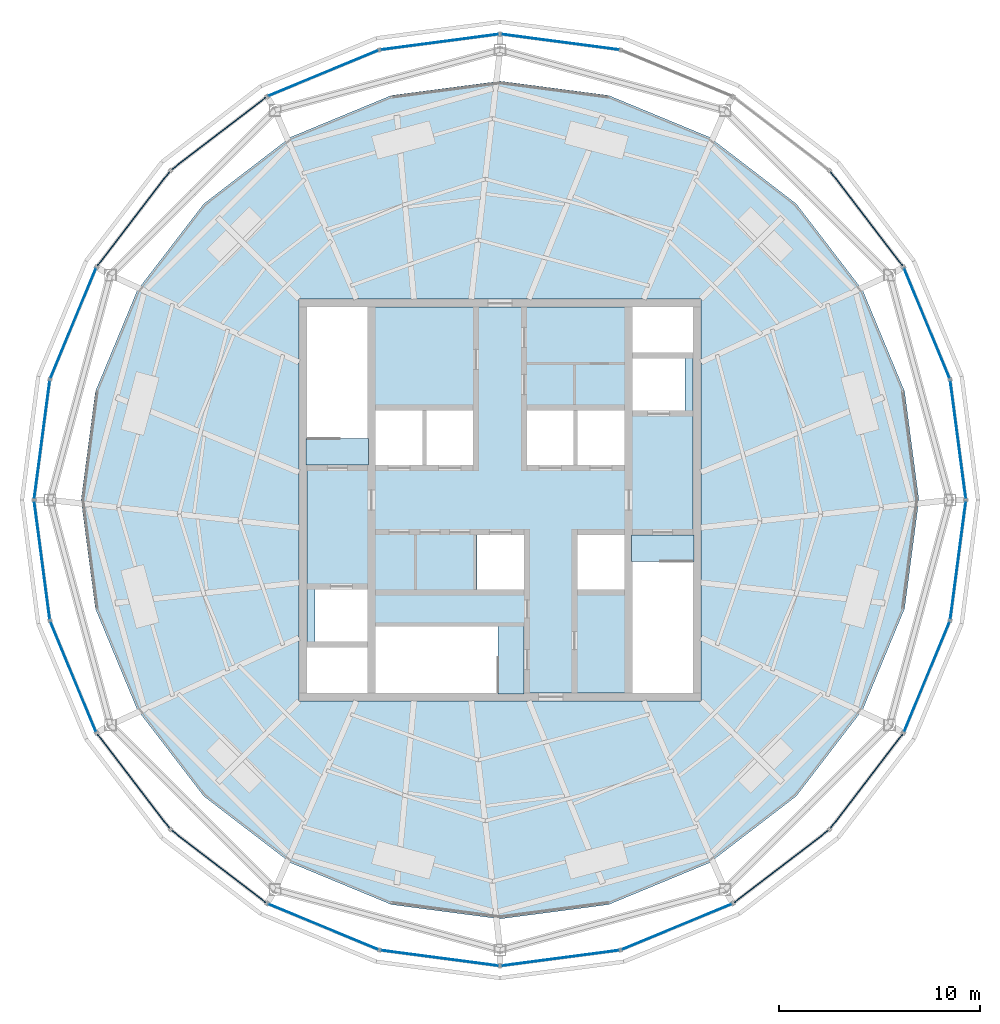
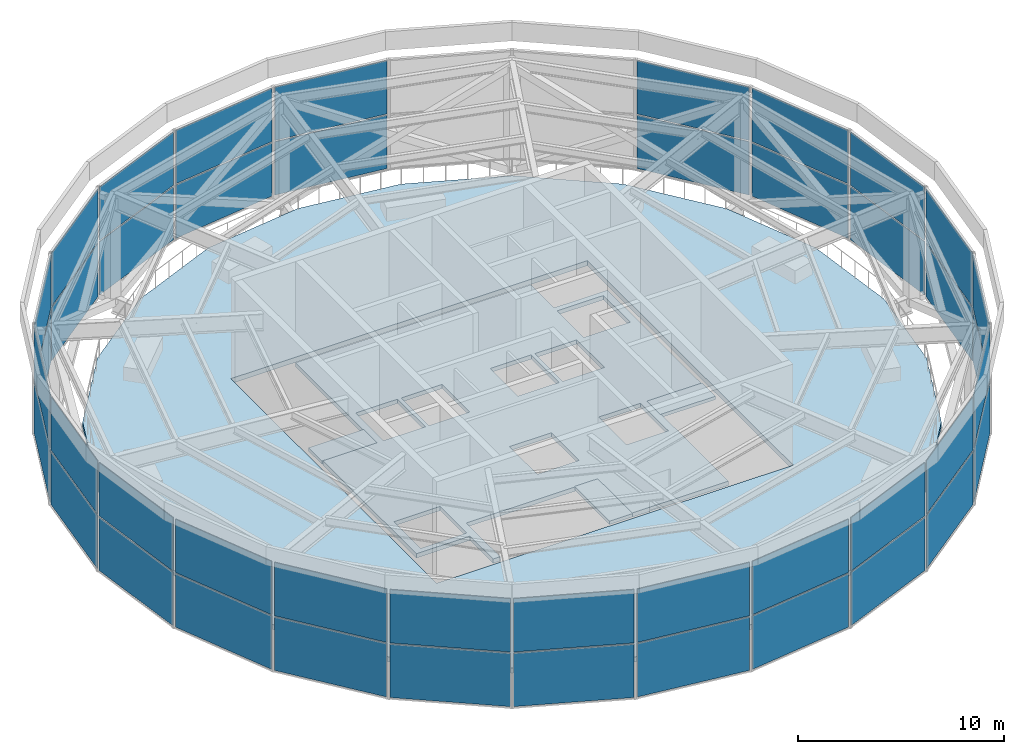
# One storey, part 8 of 13: 44 plates, 5 slabs, 22 elements without a shape of their own.
"""IFC4 building model written with IfcOpenShell, lengths in metres."""

from ifc_helpers import new_model, si_unit, direction, frame, origin, origin_2d, place, context, subcontext, project, spatial, polyline, rectangle, outline, extrude, material, layer, layer_set, type_object, element, aggregate, save


model = new_model("IFC4")

# Units and contexts
model_context = context("Model", 3, precision=1e-05, world=origin(), true_north=direction((0.0, 1.0)))
body_context = subcontext(model_context, "Body", "Model", "MODEL_VIEW")
ifc_project = project(units=[si_unit("LENGTHUNIT", "METRE"), si_unit("AREAUNIT", "SQUARE_METRE"), si_unit("VOLUMEUNIT", "CUBIC_METRE"), si_unit("PLANEANGLEUNIT", "RADIAN"), si_unit("MASSUNIT", "GRAM", prefix="KILO")], contexts=[model_context])

# Site, building, storey
site_placement = place(None, origin())
site = spatial("IfcSite", under=ifc_project, at=site_placement, CompositionType="ELEMENT")
building_placement = place(site_placement, origin())
building = spatial("IfcBuilding", under=site, at=building_placement, Name="Golbaran Civic Tower", CompositionType="ELEMENT")
storey_placement = place(building_placement, frame((0.0, 0.0, 284.0)))
storey = spatial("IfcBuildingStorey", under=building, at=storey_placement, Name="L69", CompositionType="ELEMENT", Elevation=284.0)

# Slab
ifc_material_1 = material(Name="Concrete C35/45", Category="concrete")
ifc_layer_1 = layer(ifc_material_1, 0.25, Name="Concrete C35/45")
ifc_layer_set_1 = layer_set([ifc_layer_1], Name="Concrete C35/45")
slab_type_1 = type_object("IfcSlabType", Name="CORE FLOOR SLAB 250", PredefinedType="FLOOR", material=ifc_layer_set_1)
slab_1_placement = place(storey_placement, frame((0.0, 0.0, -0.25)))
element("IfcSlab", 1, at=slab_1_placement, inside=storey, type_object=slab_type_1, Name="Core floor slab L69", PredefinedType="FLOOR", context=body_context, shape_type="SweptSolid", body=[
    extrude(outline(polyline([(6.60009765625, -1.75), (6.60009765625, -9.60009765625), (1.199951171875, -9.60009765625), (1.199951171875, -6.300048828125), (-6.199951171875, -6.300048828125), (-6.199951171875, -9.60009765625), (-6.60009765625, -9.60009765625), (-6.60009765625, -7.35009765625), (-9.60009765625, -7.35009765625), (-9.60009765625, 1.75), (-6.60009765625, 1.75), (-6.60009765625, 9.60009765625), (6.60009765625, 9.60009765625), (6.60009765625, 7.35009765625), (9.60009765625, 7.35009765625), (9.60009765625, -1.75), (6.60009765625, -1.75)]), holes=[polyline([(9.199951171875, 7.050048828125), (6.60009765625, 7.050048828125), (6.60009765625, 4.449951171875), (9.199951171875, 4.449951171875), (9.199951171875, 7.050048828125)]), polyline([(6.199951171875, -1.75), (3.85009765625, -1.75), (3.85009765625, -4.449951171875), (6.199951171875, -4.449951171875), (6.199951171875, -1.75)]), polyline([(6.199951171875, 4.449951171875), (3.85009765625, 4.449951171875), (3.85009765625, 1.75), (6.199951171875, 1.75), (6.199951171875, 4.449951171875)]), polyline([(3.64990234375, 4.449951171875), (1.35009765625, 4.449951171875), (1.35009765625, 1.75), (3.64990234375, 1.75), (3.64990234375, 4.449951171875)]), polyline([(-1.14990234375, -1.75), (-1.14990234375, -4.449951171875), (1.199951171875, -4.449951171875), (1.199951171875, -1.75), (-1.14990234375, -1.75)]), polyline([(-1.35009765625, 4.449951171875), (-3.64990234375, 4.449951171875), (-3.64990234375, 1.75), (-1.35009765625, 1.75), (-1.35009765625, 4.449951171875)]), polyline([(-3.85009765625, 4.449951171875), (-6.199951171875, 4.449951171875), (-6.199951171875, 1.75), (-3.85009765625, 1.75), (-3.85009765625, 4.449951171875)]), polyline([(-6.60009765625, -4.449951171875), (-9.199951171875, -4.449951171875), (-9.199951171875, -7.050048828125), (-6.60009765625, -7.050048828125), (-6.60009765625, -4.449951171875)])]), origin(), (0.0, 0.0, 1.0), 0.25),
])

# Curtain wall, plates
ifc_material_2 = material(Name="Aluminium and glass", Category="aluminium")
curtain_wall_type = type_object("IfcCurtainWallType", Name="OUTER SKIN TERRACOTTA SCREEN", PredefinedType="NOTDEFINED", material=ifc_material_2)
curtain_wall_1_placement = place(storey_placement, origin())
curtain_wall_1 = element("IfcCurtainWall", 2, at=curtain_wall_1_placement, inside=storey, type_object=curtain_wall_type, Name="Crown screen L69 facet 1 CW3", ObjectType="OUTER SKIN", PredefinedType="USERDEFINED")
ifc_material_3 = material(Name="Terracotta baguette screen", Category="masonry")
ifc_layer_2 = layer(ifc_material_3, 0.0400390625, Name="Terracotta baguette screen")
ifc_layer_set_2 = layer_set([ifc_layer_2], Name="Terracotta baguette screen")
plate_type = type_object("IfcPlateType", Name="OUTER SKIN TERRACOTTA SCREEN PANEL", PredefinedType="CURTAIN_PANEL", material=ifc_layer_set_2)
plate_1_placement = place(storey_placement, frame((22.8046875, 3.002197265625, -0.6298828125), z_axis=(0.0, 0.0, 1.0), x_axis=(-0.13052619222, 0.991444861374, 0.0)))
plate_1 = element("IfcPlate", 3, at=plate_1_placement, type_object=plate_type, Name="CW3 terracotta screen panel 1.1", PredefinedType="CURTAIN_PANEL", context=body_context, shape_type="SweptSolid", body=[
    extrude(rectangle(XDim=5.896484375, YDim=0.0400390625, at=origin_2d()), origin(), (0.0, 0.0, 1.0), 3.159912109375),
])
plate_2_placement = place(storey_placement, frame((22.8046875, 3.002197265625, 2.60986328125), z_axis=(0.0, 0.0, 1.0), x_axis=(-0.13052619222, 0.991444861374, 0.0)))
plate_2 = element("IfcPlate", 4, at=plate_2_placement, type_object=plate_type, Name="CW3 terracotta screen panel 1.2", PredefinedType="CURTAIN_PANEL", context=body_context, shape_type="SweptSolid", body=[
    extrude(rectangle(XDim=5.896484375, YDim=0.0400390625, at=origin_2d()), origin(), (0.0, 0.0, 1.0), 3.159912109375),
])
aggregate(curtain_wall_1, [plate_1, plate_2])

curtain_wall_2_placement = place(storey_placement, origin())
curtain_wall_2 = element("IfcCurtainWall", 5, at=curtain_wall_2_placement, inside=storey, type_object=curtain_wall_type, Name="Crown screen L69 facet 2 CW3", ObjectType="OUTER SKIN", PredefinedType="USERDEFINED")
plate_3_placement = place(storey_placement, frame((21.250732421875, 8.80224609375, -0.6298828125), z_axis=(0.0, 0.0, 1.0), x_axis=(-0.382683432333, 0.923879532525, 0.0)))
plate_3 = element("IfcPlate", 6, at=plate_3_placement, type_object=plate_type, Name="CW3 terracotta screen panel 1.1", PredefinedType="CURTAIN_PANEL", context=body_context, shape_type="SweptSolid", body=[
    extrude(rectangle(XDim=5.896484375, YDim=0.0400390625, at=origin_2d()), origin(), (0.0, 0.0, 1.0), 3.159912109375),
])
plate_4_placement = place(storey_placement, frame((21.250732421875, 8.80224609375, 2.60986328125), z_axis=(0.0, 0.0, 1.0), x_axis=(-0.382683432333, 0.923879532525, 0.0)))
plate_4 = element("IfcPlate", 7, at=plate_4_placement, type_object=plate_type, Name="CW3 terracotta screen panel 1.2", PredefinedType="CURTAIN_PANEL", context=body_context, shape_type="SweptSolid", body=[
    extrude(rectangle(XDim=5.896484375, YDim=0.0400390625, at=origin_2d()), origin(), (0.0, 0.0, 1.0), 3.159912109375),
])
aggregate(curtain_wall_2, [plate_3, plate_4])

curtain_wall_3_placement = place(storey_placement, origin())
curtain_wall_3 = element("IfcCurtainWall", 8, at=curtain_wall_3_placement, inside=storey, type_object=curtain_wall_type, Name="Crown screen L69 facet 3 CW3", ObjectType="OUTER SKIN", PredefinedType="USERDEFINED")
plate_5_placement = place(storey_placement, frame((18.248291015625, 14.00244140625, -0.6298828125), z_axis=(0.0, 0.0, 1.0), x_axis=(-0.608761428939, 0.793353340344, 0.0)))
plate_5 = element("IfcPlate", 9, at=plate_5_placement, type_object=plate_type, Name="CW3 terracotta screen panel 1.1", PredefinedType="CURTAIN_PANEL", context=body_context, shape_type="SweptSolid", body=[
    extrude(rectangle(XDim=5.896484375, YDim=0.0400390625, at=origin_2d()), origin(), (0.0, 0.0, 1.0), 3.159912109375),
])
plate_6_placement = place(storey_placement, frame((18.248291015625, 14.00244140625, 2.60986328125), z_axis=(0.0, 0.0, 1.0), x_axis=(-0.608761428939, 0.793353340344, 0.0)))
plate_6 = element("IfcPlate", 10, at=plate_6_placement, type_object=plate_type, Name="CW3 terracotta screen panel 1.2", PredefinedType="CURTAIN_PANEL", context=body_context, shape_type="SweptSolid", body=[
    extrude(rectangle(XDim=5.896484375, YDim=0.0400390625, at=origin_2d()), origin(), (0.0, 0.0, 1.0), 3.159912109375),
])
aggregate(curtain_wall_3, [plate_5, plate_6])

curtain_wall_4_placement = place(storey_placement, origin())
curtain_wall_4 = element("IfcCurtainWall", 11, at=curtain_wall_4_placement, inside=storey, type_object=curtain_wall_type, Name="Crown screen L69 facet 6 CW3", ObjectType="OUTER SKIN", PredefinedType="USERDEFINED")
plate_7_placement = place(storey_placement, frame((3.002197265625, 22.8046875, -0.6298828125), z_axis=(0.0, 0.0, 1.0), x_axis=(-0.991444861374, 0.13052619222, 0.0)))
plate_7 = element("IfcPlate", 12, at=plate_7_placement, type_object=plate_type, Name="CW3 terracotta screen panel 1.1", PredefinedType="CURTAIN_PANEL", context=body_context, shape_type="SweptSolid", body=[
    extrude(rectangle(XDim=5.896484375, YDim=0.0400390625, at=origin_2d()), origin(), (0.0, 0.0, 1.0), 3.159912109375),
])
plate_8_placement = place(storey_placement, frame((3.002197265625, 22.8046875, 2.60986328125), z_axis=(0.0, 0.0, 1.0), x_axis=(-0.991444861374, 0.13052619222, 0.0)))
plate_8 = element("IfcPlate", 13, at=plate_8_placement, type_object=plate_type, Name="CW3 terracotta screen panel 1.2", PredefinedType="CURTAIN_PANEL", context=body_context, shape_type="SweptSolid", body=[
    extrude(rectangle(XDim=5.896484375, YDim=0.0400390625, at=origin_2d()), origin(), (0.0, 0.0, 1.0), 3.159912109375),
])
aggregate(curtain_wall_4, [plate_7, plate_8])

curtain_wall_5_placement = place(storey_placement, origin())
curtain_wall_5 = element("IfcCurtainWall", 14, at=curtain_wall_5_placement, inside=storey, type_object=curtain_wall_type, Name="Crown screen L69 facet 7 CW3", ObjectType="OUTER SKIN", PredefinedType="USERDEFINED")
plate_9_placement = place(storey_placement, frame((-3.002197265625, 22.8046875, -0.6298828125), z_axis=(0.0, 0.0, 1.0), x_axis=(-0.991444861374, -0.13052619222, 0.0)))
plate_9 = element("IfcPlate", 15, at=plate_9_placement, type_object=plate_type, Name="CW3 terracotta screen panel 1.1", PredefinedType="CURTAIN_PANEL", context=body_context, shape_type="SweptSolid", body=[
    extrude(rectangle(XDim=5.896484375, YDim=0.0400390625, at=origin_2d()), origin(), (0.0, 0.0, 1.0), 3.159912109375),
])
plate_10_placement = place(storey_placement, frame((-3.002197265625, 22.8046875, 2.60986328125), z_axis=(0.0, 0.0, 1.0), x_axis=(-0.991444861374, -0.13052619222, 0.0)))
plate_10 = element("IfcPlate", 16, at=plate_10_placement, type_object=plate_type, Name="CW3 terracotta screen panel 1.2", PredefinedType="CURTAIN_PANEL", context=body_context, shape_type="SweptSolid", body=[
    extrude(rectangle(XDim=5.896484375, YDim=0.0400390625, at=origin_2d()), origin(), (0.0, 0.0, 1.0), 3.159912109375),
])
aggregate(curtain_wall_5, [plate_9, plate_10])

curtain_wall_6_placement = place(storey_placement, origin())
curtain_wall_6 = element("IfcCurtainWall", 17, at=curtain_wall_6_placement, inside=storey, type_object=curtain_wall_type, Name="Crown screen L69 facet 8 CW3", ObjectType="OUTER SKIN", PredefinedType="USERDEFINED")
plate_11_placement = place(storey_placement, frame((-8.80224609375, 21.250732421875, -0.6298828125), z_axis=(0.0, 0.0, 1.0), x_axis=(-0.923879532525, -0.382683432333, 0.0)))
plate_11 = element("IfcPlate", 18, at=plate_11_placement, type_object=plate_type, Name="CW3 terracotta screen panel 1.1", PredefinedType="CURTAIN_PANEL", context=body_context, shape_type="SweptSolid", body=[
    extrude(rectangle(XDim=5.896484375, YDim=0.0400390625, at=origin_2d()), origin(), (0.0, 0.0, 1.0), 3.159912109375),
])
plate_12_placement = place(storey_placement, frame((-8.80224609375, 21.250732421875, 2.60986328125), z_axis=(0.0, 0.0, 1.0), x_axis=(-0.923879532525, -0.382683432333, 0.0)))
plate_12 = element("IfcPlate", 19, at=plate_12_placement, type_object=plate_type, Name="CW3 terracotta screen panel 1.2", PredefinedType="CURTAIN_PANEL", context=body_context, shape_type="SweptSolid", body=[
    extrude(rectangle(XDim=5.896484375, YDim=0.0400390625, at=origin_2d()), origin(), (0.0, 0.0, 1.0), 3.159912109375),
])
aggregate(curtain_wall_6, [plate_11, plate_12])

curtain_wall_7_placement = place(storey_placement, origin())
curtain_wall_7 = element("IfcCurtainWall", 20, at=curtain_wall_7_placement, inside=storey, type_object=curtain_wall_type, Name="Crown screen L69 facet 9 CW3", ObjectType="OUTER SKIN", PredefinedType="USERDEFINED")
plate_13_placement = place(storey_placement, frame((-14.00244140625, 18.248291015625, -0.6298828125), z_axis=(0.0, 0.0, 1.0), x_axis=(-0.793353340344, -0.608761428939, 0.0)))
plate_13 = element("IfcPlate", 21, at=plate_13_placement, type_object=plate_type, Name="CW3 terracotta screen panel 1.1", PredefinedType="CURTAIN_PANEL", context=body_context, shape_type="SweptSolid", body=[
    extrude(rectangle(XDim=5.896484375, YDim=0.0400390625, at=origin_2d()), origin(), (0.0, 0.0, 1.0), 3.159912109375),
])
plate_14_placement = place(storey_placement, frame((-14.00244140625, 18.248291015625, 2.60986328125), z_axis=(0.0, 0.0, 1.0), x_axis=(-0.793353340344, -0.608761428939, 0.0)))
plate_14 = element("IfcPlate", 22, at=plate_14_placement, type_object=plate_type, Name="CW3 terracotta screen panel 1.2", PredefinedType="CURTAIN_PANEL", context=body_context, shape_type="SweptSolid", body=[
    extrude(rectangle(XDim=5.896484375, YDim=0.0400390625, at=origin_2d()), origin(), (0.0, 0.0, 1.0), 3.159912109375),
])
aggregate(curtain_wall_7, [plate_13, plate_14])

curtain_wall_8_placement = place(storey_placement, origin())
curtain_wall_8 = element("IfcCurtainWall", 23, at=curtain_wall_8_placement, inside=storey, type_object=curtain_wall_type, Name="Crown screen L69 facet 10 CW3", ObjectType="OUTER SKIN", PredefinedType="USERDEFINED")
plate_15_placement = place(storey_placement, frame((-18.248291015625, 14.00244140625, -0.6298828125), z_axis=(0.0, 0.0, 1.0), x_axis=(-0.608761428939, -0.793353340344, 0.0)))
plate_15 = element("IfcPlate", 24, at=plate_15_placement, type_object=plate_type, Name="CW3 terracotta screen panel 1.1", PredefinedType="CURTAIN_PANEL", context=body_context, shape_type="SweptSolid", body=[
    extrude(rectangle(XDim=5.896484375, YDim=0.0400390625, at=origin_2d()), origin(), (0.0, 0.0, 1.0), 3.159912109375),
])
plate_16_placement = place(storey_placement, frame((-18.248291015625, 14.00244140625, 2.60986328125), z_axis=(0.0, 0.0, 1.0), x_axis=(-0.608761428939, -0.793353340344, 0.0)))
plate_16 = element("IfcPlate", 25, at=plate_16_placement, type_object=plate_type, Name="CW3 terracotta screen panel 1.2", PredefinedType="CURTAIN_PANEL", context=body_context, shape_type="SweptSolid", body=[
    extrude(rectangle(XDim=5.896484375, YDim=0.0400390625, at=origin_2d()), origin(), (0.0, 0.0, 1.0), 3.159912109375),
])
aggregate(curtain_wall_8, [plate_15, plate_16])

curtain_wall_9_placement = place(storey_placement, origin())
curtain_wall_9 = element("IfcCurtainWall", 26, at=curtain_wall_9_placement, inside=storey, type_object=curtain_wall_type, Name="Crown screen L69 facet 11 CW3", ObjectType="OUTER SKIN", PredefinedType="USERDEFINED")
plate_17_placement = place(storey_placement, frame((-21.250732421875, 8.80224609375, -0.6298828125), z_axis=(0.0, 0.0, 1.0), x_axis=(-0.382683432333, -0.923879532525, 0.0)))
plate_17 = element("IfcPlate", 27, at=plate_17_placement, type_object=plate_type, Name="CW3 terracotta screen panel 1.1", PredefinedType="CURTAIN_PANEL", context=body_context, shape_type="SweptSolid", body=[
    extrude(rectangle(XDim=5.896484375, YDim=0.0400390625, at=origin_2d()), origin(), (0.0, 0.0, 1.0), 3.159912109375),
])
plate_18_placement = place(storey_placement, frame((-21.250732421875, 8.80224609375, 2.60986328125), z_axis=(0.0, 0.0, 1.0), x_axis=(-0.382683432333, -0.923879532525, 0.0)))
plate_18 = element("IfcPlate", 28, at=plate_18_placement, type_object=plate_type, Name="CW3 terracotta screen panel 1.2", PredefinedType="CURTAIN_PANEL", context=body_context, shape_type="SweptSolid", body=[
    extrude(rectangle(XDim=5.896484375, YDim=0.0400390625, at=origin_2d()), origin(), (0.0, 0.0, 1.0), 3.159912109375),
])
aggregate(curtain_wall_9, [plate_17, plate_18])

curtain_wall_10_placement = place(storey_placement, origin())
curtain_wall_10 = element("IfcCurtainWall", 29, at=curtain_wall_10_placement, inside=storey, type_object=curtain_wall_type, Name="Crown screen L69 facet 12 CW3", ObjectType="OUTER SKIN", PredefinedType="USERDEFINED")
plate_19_placement = place(storey_placement, frame((-22.8046875, 3.002197265625, -0.6298828125), z_axis=(0.0, 0.0, 1.0), x_axis=(-0.13052619222, -0.991444861374, 0.0)))
plate_19 = element("IfcPlate", 30, at=plate_19_placement, type_object=plate_type, Name="CW3 terracotta screen panel 1.1", PredefinedType="CURTAIN_PANEL", context=body_context, shape_type="SweptSolid", body=[
    extrude(rectangle(XDim=5.896484375, YDim=0.0400390625, at=origin_2d()), origin(), (0.0, 0.0, 1.0), 3.159912109375),
])
plate_20_placement = place(storey_placement, frame((-22.8046875, 3.002197265625, 2.60986328125), z_axis=(0.0, 0.0, 1.0), x_axis=(-0.13052619222, -0.991444861374, 0.0)))
plate_20 = element("IfcPlate", 31, at=plate_20_placement, type_object=plate_type, Name="CW3 terracotta screen panel 1.2", PredefinedType="CURTAIN_PANEL", context=body_context, shape_type="SweptSolid", body=[
    extrude(rectangle(XDim=5.896484375, YDim=0.0400390625, at=origin_2d()), origin(), (0.0, 0.0, 1.0), 3.159912109375),
])
aggregate(curtain_wall_10, [plate_19, plate_20])

curtain_wall_11_placement = place(storey_placement, origin())
curtain_wall_11 = element("IfcCurtainWall", 32, at=curtain_wall_11_placement, inside=storey, type_object=curtain_wall_type, Name="Crown screen L69 facet 13 CW3", ObjectType="OUTER SKIN", PredefinedType="USERDEFINED")
plate_21_placement = place(storey_placement, frame((-22.8046875, -3.002197265625, -0.6298828125), z_axis=(0.0, 0.0, 1.0), x_axis=(0.13052619222, -0.991444861374, 0.0)))
plate_21 = element("IfcPlate", 33, at=plate_21_placement, type_object=plate_type, Name="CW3 terracotta screen panel 1.1", PredefinedType="CURTAIN_PANEL", context=body_context, shape_type="SweptSolid", body=[
    extrude(rectangle(XDim=5.896484375, YDim=0.0400390625, at=origin_2d()), origin(), (0.0, 0.0, 1.0), 3.159912109375),
])
plate_22_placement = place(storey_placement, frame((-22.8046875, -3.002197265625, 2.60986328125), z_axis=(0.0, 0.0, 1.0), x_axis=(0.13052619222, -0.991444861374, 0.0)))
plate_22 = element("IfcPlate", 34, at=plate_22_placement, type_object=plate_type, Name="CW3 terracotta screen panel 1.2", PredefinedType="CURTAIN_PANEL", context=body_context, shape_type="SweptSolid", body=[
    extrude(rectangle(XDim=5.896484375, YDim=0.0400390625, at=origin_2d()), origin(), (0.0, 0.0, 1.0), 3.159912109375),
])
aggregate(curtain_wall_11, [plate_21, plate_22])

curtain_wall_12_placement = place(storey_placement, origin())
curtain_wall_12 = element("IfcCurtainWall", 35, at=curtain_wall_12_placement, inside=storey, type_object=curtain_wall_type, Name="Crown screen L69 facet 14 CW3", ObjectType="OUTER SKIN", PredefinedType="USERDEFINED")
plate_23_placement = place(storey_placement, frame((-21.250732421875, -8.80224609375, -0.6298828125), z_axis=(0.0, 0.0, 1.0), x_axis=(0.382683432333, -0.923879532525, 0.0)))
plate_23 = element("IfcPlate", 36, at=plate_23_placement, type_object=plate_type, Name="CW3 terracotta screen panel 1.1", PredefinedType="CURTAIN_PANEL", context=body_context, shape_type="SweptSolid", body=[
    extrude(rectangle(XDim=5.896484375, YDim=0.0400390625, at=origin_2d()), origin(), (0.0, 0.0, 1.0), 3.159912109375),
])
plate_24_placement = place(storey_placement, frame((-21.250732421875, -8.80224609375, 2.60986328125), z_axis=(0.0, 0.0, 1.0), x_axis=(0.382683432333, -0.923879532525, 0.0)))
plate_24 = element("IfcPlate", 37, at=plate_24_placement, type_object=plate_type, Name="CW3 terracotta screen panel 1.2", PredefinedType="CURTAIN_PANEL", context=body_context, shape_type="SweptSolid", body=[
    extrude(rectangle(XDim=5.896484375, YDim=0.0400390625, at=origin_2d()), origin(), (0.0, 0.0, 1.0), 3.159912109375),
])
aggregate(curtain_wall_12, [plate_23, plate_24])

curtain_wall_13_placement = place(storey_placement, origin())
curtain_wall_13 = element("IfcCurtainWall", 38, at=curtain_wall_13_placement, inside=storey, type_object=curtain_wall_type, Name="Crown screen L69 facet 15 CW3", ObjectType="OUTER SKIN", PredefinedType="USERDEFINED")
plate_25_placement = place(storey_placement, frame((-18.248291015625, -14.00244140625, -0.6298828125), z_axis=(0.0, 0.0, 1.0), x_axis=(0.608761428939, -0.793353340344, 0.0)))
plate_25 = element("IfcPlate", 39, at=plate_25_placement, type_object=plate_type, Name="CW3 terracotta screen panel 1.1", PredefinedType="CURTAIN_PANEL", context=body_context, shape_type="SweptSolid", body=[
    extrude(rectangle(XDim=5.896484375, YDim=0.0400390625, at=origin_2d()), origin(), (0.0, 0.0, 1.0), 3.159912109375),
])
plate_26_placement = place(storey_placement, frame((-18.248291015625, -14.00244140625, 2.60986328125), z_axis=(0.0, 0.0, 1.0), x_axis=(0.608761428939, -0.793353340344, 0.0)))
plate_26 = element("IfcPlate", 40, at=plate_26_placement, type_object=plate_type, Name="CW3 terracotta screen panel 1.2", PredefinedType="CURTAIN_PANEL", context=body_context, shape_type="SweptSolid", body=[
    extrude(rectangle(XDim=5.896484375, YDim=0.0400390625, at=origin_2d()), origin(), (0.0, 0.0, 1.0), 3.159912109375),
])
aggregate(curtain_wall_13, [plate_25, plate_26])

curtain_wall_14_placement = place(storey_placement, origin())
curtain_wall_14 = element("IfcCurtainWall", 41, at=curtain_wall_14_placement, inside=storey, type_object=curtain_wall_type, Name="Crown screen L69 facet 16 CW3", ObjectType="OUTER SKIN", PredefinedType="USERDEFINED")
plate_27_placement = place(storey_placement, frame((-14.00244140625, -18.248291015625, -0.6298828125), z_axis=(0.0, 0.0, 1.0), x_axis=(0.793353340344, -0.608761428939, 0.0)))
plate_27 = element("IfcPlate", 42, at=plate_27_placement, type_object=plate_type, Name="CW3 terracotta screen panel 1.1", PredefinedType="CURTAIN_PANEL", context=body_context, shape_type="SweptSolid", body=[
    extrude(rectangle(XDim=5.896484375, YDim=0.0400390625, at=origin_2d()), origin(), (0.0, 0.0, 1.0), 3.159912109375),
])
plate_28_placement = place(storey_placement, frame((-14.00244140625, -18.248291015625, 2.60986328125), z_axis=(0.0, 0.0, 1.0), x_axis=(0.793353340344, -0.608761428939, 0.0)))
plate_28 = element("IfcPlate", 43, at=plate_28_placement, type_object=plate_type, Name="CW3 terracotta screen panel 1.2", PredefinedType="CURTAIN_PANEL", context=body_context, shape_type="SweptSolid", body=[
    extrude(rectangle(XDim=5.896484375, YDim=0.0400390625, at=origin_2d()), origin(), (0.0, 0.0, 1.0), 3.159912109375),
])
aggregate(curtain_wall_14, [plate_27, plate_28])

curtain_wall_15_placement = place(storey_placement, origin())
curtain_wall_15 = element("IfcCurtainWall", 44, at=curtain_wall_15_placement, inside=storey, type_object=curtain_wall_type, Name="Crown screen L69 facet 17 CW3", ObjectType="OUTER SKIN", PredefinedType="USERDEFINED")
plate_29_placement = place(storey_placement, frame((-8.80224609375, -21.250732421875, -0.6298828125), z_axis=(0.0, 0.0, 1.0), x_axis=(0.923879532525, -0.382683432333, 0.0)))
plate_29 = element("IfcPlate", 45, at=plate_29_placement, type_object=plate_type, Name="CW3 terracotta screen panel 1.1", PredefinedType="CURTAIN_PANEL", context=body_context, shape_type="SweptSolid", body=[
    extrude(rectangle(XDim=5.896484375, YDim=0.0400390625, at=origin_2d()), origin(), (0.0, 0.0, 1.0), 3.159912109375),
])
plate_30_placement = place(storey_placement, frame((-8.80224609375, -21.250732421875, 2.60986328125), z_axis=(0.0, 0.0, 1.0), x_axis=(0.923879532525, -0.382683432333, 0.0)))
plate_30 = element("IfcPlate", 46, at=plate_30_placement, type_object=plate_type, Name="CW3 terracotta screen panel 1.2", PredefinedType="CURTAIN_PANEL", context=body_context, shape_type="SweptSolid", body=[
    extrude(rectangle(XDim=5.896484375, YDim=0.0400390625, at=origin_2d()), origin(), (0.0, 0.0, 1.0), 3.159912109375),
])
aggregate(curtain_wall_15, [plate_29, plate_30])

curtain_wall_16_placement = place(storey_placement, origin())
curtain_wall_16 = element("IfcCurtainWall", 47, at=curtain_wall_16_placement, inside=storey, type_object=curtain_wall_type, Name="Crown screen L69 facet 18 CW3", ObjectType="OUTER SKIN", PredefinedType="USERDEFINED")
plate_31_placement = place(storey_placement, frame((-3.002197265625, -22.8046875, -0.6298828125), z_axis=(0.0, 0.0, 1.0), x_axis=(0.991444861374, -0.13052619222, 0.0)))
plate_31 = element("IfcPlate", 48, at=plate_31_placement, type_object=plate_type, Name="CW3 terracotta screen panel 1.1", PredefinedType="CURTAIN_PANEL", context=body_context, shape_type="SweptSolid", body=[
    extrude(rectangle(XDim=5.896484375, YDim=0.0400390625, at=origin_2d()), origin(), (0.0, 0.0, 1.0), 3.159912109375),
])
plate_32_placement = place(storey_placement, frame((-3.002197265625, -22.8046875, 2.60986328125), z_axis=(0.0, 0.0, 1.0), x_axis=(0.991444861374, -0.13052619222, 0.0)))
plate_32 = element("IfcPlate", 49, at=plate_32_placement, type_object=plate_type, Name="CW3 terracotta screen panel 1.2", PredefinedType="CURTAIN_PANEL", context=body_context, shape_type="SweptSolid", body=[
    extrude(rectangle(XDim=5.896484375, YDim=0.0400390625, at=origin_2d()), origin(), (0.0, 0.0, 1.0), 3.159912109375),
])
aggregate(curtain_wall_16, [plate_31, plate_32])

curtain_wall_17_placement = place(storey_placement, origin())
curtain_wall_17 = element("IfcCurtainWall", 50, at=curtain_wall_17_placement, inside=storey, type_object=curtain_wall_type, Name="Crown screen L69 facet 19 CW3", ObjectType="OUTER SKIN", PredefinedType="USERDEFINED")
plate_33_placement = place(storey_placement, frame((3.002197265625, -22.8046875, -0.6298828125), z_axis=(0.0, 0.0, 1.0), x_axis=(0.991444861374, 0.13052619222, 0.0)))
plate_33 = element("IfcPlate", 51, at=plate_33_placement, type_object=plate_type, Name="CW3 terracotta screen panel 1.1", PredefinedType="CURTAIN_PANEL", context=body_context, shape_type="SweptSolid", body=[
    extrude(rectangle(XDim=5.896484375, YDim=0.0400390625, at=origin_2d()), origin(), (0.0, 0.0, 1.0), 3.159912109375),
])
plate_34_placement = place(storey_placement, frame((3.002197265625, -22.8046875, 2.60986328125), z_axis=(0.0, 0.0, 1.0), x_axis=(0.991444861374, 0.13052619222, 0.0)))
plate_34 = element("IfcPlate", 52, at=plate_34_placement, type_object=plate_type, Name="CW3 terracotta screen panel 1.2", PredefinedType="CURTAIN_PANEL", context=body_context, shape_type="SweptSolid", body=[
    extrude(rectangle(XDim=5.896484375, YDim=0.0400390625, at=origin_2d()), origin(), (0.0, 0.0, 1.0), 3.159912109375),
])
aggregate(curtain_wall_17, [plate_33, plate_34])

curtain_wall_18_placement = place(storey_placement, origin())
curtain_wall_18 = element("IfcCurtainWall", 53, at=curtain_wall_18_placement, inside=storey, type_object=curtain_wall_type, Name="Crown screen L69 facet 20 CW3", ObjectType="OUTER SKIN", PredefinedType="USERDEFINED")
plate_35_placement = place(storey_placement, frame((8.80224609375, -21.250732421875, -0.6298828125), z_axis=(0.0, 0.0, 1.0), x_axis=(0.923879532525, 0.382683432333, 0.0)))
plate_35 = element("IfcPlate", 54, at=plate_35_placement, type_object=plate_type, Name="CW3 terracotta screen panel 1.1", PredefinedType="CURTAIN_PANEL", context=body_context, shape_type="SweptSolid", body=[
    extrude(rectangle(XDim=5.896484375, YDim=0.0400390625, at=origin_2d()), origin(), (0.0, 0.0, 1.0), 3.159912109375),
])
plate_36_placement = place(storey_placement, frame((8.80224609375, -21.250732421875, 2.60986328125), z_axis=(0.0, 0.0, 1.0), x_axis=(0.923879532525, 0.382683432333, 0.0)))
plate_36 = element("IfcPlate", 55, at=plate_36_placement, type_object=plate_type, Name="CW3 terracotta screen panel 1.2", PredefinedType="CURTAIN_PANEL", context=body_context, shape_type="SweptSolid", body=[
    extrude(rectangle(XDim=5.896484375, YDim=0.0400390625, at=origin_2d()), origin(), (0.0, 0.0, 1.0), 3.159912109375),
])
aggregate(curtain_wall_18, [plate_35, plate_36])

curtain_wall_19_placement = place(storey_placement, origin())
curtain_wall_19 = element("IfcCurtainWall", 56, at=curtain_wall_19_placement, inside=storey, type_object=curtain_wall_type, Name="Crown screen L69 facet 21 CW3", ObjectType="OUTER SKIN", PredefinedType="USERDEFINED")
plate_37_placement = place(storey_placement, frame((14.00244140625, -18.248291015625, -0.6298828125), z_axis=(0.0, 0.0, 1.0), x_axis=(0.793353340344, 0.608761428939, 0.0)))
plate_37 = element("IfcPlate", 57, at=plate_37_placement, type_object=plate_type, Name="CW3 terracotta screen panel 1.1", PredefinedType="CURTAIN_PANEL", context=body_context, shape_type="SweptSolid", body=[
    extrude(rectangle(XDim=5.896484375, YDim=0.0400390625, at=origin_2d()), origin(), (0.0, 0.0, 1.0), 3.159912109375),
])
plate_38_placement = place(storey_placement, frame((14.00244140625, -18.248291015625, 2.60986328125), z_axis=(0.0, 0.0, 1.0), x_axis=(0.793353340344, 0.608761428939, 0.0)))
plate_38 = element("IfcPlate", 58, at=plate_38_placement, type_object=plate_type, Name="CW3 terracotta screen panel 1.2", PredefinedType="CURTAIN_PANEL", context=body_context, shape_type="SweptSolid", body=[
    extrude(rectangle(XDim=5.896484375, YDim=0.0400390625, at=origin_2d()), origin(), (0.0, 0.0, 1.0), 3.159912109375),
])
aggregate(curtain_wall_19, [plate_37, plate_38])

curtain_wall_20_placement = place(storey_placement, origin())
curtain_wall_20 = element("IfcCurtainWall", 59, at=curtain_wall_20_placement, inside=storey, type_object=curtain_wall_type, Name="Crown screen L69 facet 22 CW3", ObjectType="OUTER SKIN", PredefinedType="USERDEFINED")
plate_39_placement = place(storey_placement, frame((18.248291015625, -14.00244140625, -0.6298828125), z_axis=(0.0, 0.0, 1.0), x_axis=(0.608761428939, 0.793353340344, 0.0)))
plate_39 = element("IfcPlate", 60, at=plate_39_placement, type_object=plate_type, Name="CW3 terracotta screen panel 1.1", PredefinedType="CURTAIN_PANEL", context=body_context, shape_type="SweptSolid", body=[
    extrude(rectangle(XDim=5.896484375, YDim=0.0400390625, at=origin_2d()), origin(), (0.0, 0.0, 1.0), 3.159912109375),
])
plate_40_placement = place(storey_placement, frame((18.248291015625, -14.00244140625, 2.60986328125), z_axis=(0.0, 0.0, 1.0), x_axis=(0.608761428939, 0.793353340344, 0.0)))
plate_40 = element("IfcPlate", 61, at=plate_40_placement, type_object=plate_type, Name="CW3 terracotta screen panel 1.2", PredefinedType="CURTAIN_PANEL", context=body_context, shape_type="SweptSolid", body=[
    extrude(rectangle(XDim=5.896484375, YDim=0.0400390625, at=origin_2d()), origin(), (0.0, 0.0, 1.0), 3.159912109375),
])
aggregate(curtain_wall_20, [plate_39, plate_40])

curtain_wall_21_placement = place(storey_placement, origin())
curtain_wall_21 = element("IfcCurtainWall", 62, at=curtain_wall_21_placement, inside=storey, type_object=curtain_wall_type, Name="Crown screen L69 facet 23 CW3", ObjectType="OUTER SKIN", PredefinedType="USERDEFINED")
plate_41_placement = place(storey_placement, frame((21.250732421875, -8.80224609375, -0.6298828125), z_axis=(0.0, 0.0, 1.0), x_axis=(0.382683432333, 0.923879532525, 0.0)))
plate_41 = element("IfcPlate", 63, at=plate_41_placement, type_object=plate_type, Name="CW3 terracotta screen panel 1.1", PredefinedType="CURTAIN_PANEL", context=body_context, shape_type="SweptSolid", body=[
    extrude(rectangle(XDim=5.896484375, YDim=0.0400390625, at=origin_2d()), origin(), (0.0, 0.0, 1.0), 3.159912109375),
])
plate_42_placement = place(storey_placement, frame((21.250732421875, -8.80224609375, 2.60986328125), z_axis=(0.0, 0.0, 1.0), x_axis=(0.382683432333, 0.923879532525, 0.0)))
plate_42 = element("IfcPlate", 64, at=plate_42_placement, type_object=plate_type, Name="CW3 terracotta screen panel 1.2", PredefinedType="CURTAIN_PANEL", context=body_context, shape_type="SweptSolid", body=[
    extrude(rectangle(XDim=5.896484375, YDim=0.0400390625, at=origin_2d()), origin(), (0.0, 0.0, 1.0), 3.159912109375),
])
aggregate(curtain_wall_21, [plate_41, plate_42])

curtain_wall_22_placement = place(storey_placement, origin())
curtain_wall_22 = element("IfcCurtainWall", 65, at=curtain_wall_22_placement, inside=storey, type_object=curtain_wall_type, Name="Crown screen L69 facet 24 CW3", ObjectType="OUTER SKIN", PredefinedType="USERDEFINED")
plate_43_placement = place(storey_placement, frame((22.8046875, -3.002197265625, -0.6298828125), z_axis=(0.0, 0.0, 1.0), x_axis=(0.13052619222, 0.991444861374, 0.0)))
plate_43 = element("IfcPlate", 66, at=plate_43_placement, type_object=plate_type, Name="CW3 terracotta screen panel 1.1", PredefinedType="CURTAIN_PANEL", context=body_context, shape_type="SweptSolid", body=[
    extrude(rectangle(XDim=5.896484375, YDim=0.0400390625, at=origin_2d()), origin(), (0.0, 0.0, 1.0), 3.159912109375),
])
plate_44_placement = place(storey_placement, frame((22.8046875, -3.002197265625, 2.60986328125), z_axis=(0.0, 0.0, 1.0), x_axis=(0.13052619222, 0.991444861374, 0.0)))
plate_44 = element("IfcPlate", 67, at=plate_44_placement, type_object=plate_type, Name="CW3 terracotta screen panel 1.2", PredefinedType="CURTAIN_PANEL", context=body_context, shape_type="SweptSolid", body=[
    extrude(rectangle(XDim=5.896484375, YDim=0.0400390625, at=origin_2d()), origin(), (0.0, 0.0, 1.0), 3.159912109375),
])
aggregate(curtain_wall_22, [plate_43, plate_44])

# Slabs
ifc_layer_3 = layer(ifc_material_1, 0.300048828125, Name="Concrete C35/45")
ifc_layer_set_3 = layer_set([ifc_layer_3], Name="Concrete C35/45")
slab_type_2 = type_object("IfcSlabType", Name="ROOF TERRACE SLAB 300", PredefinedType="FLOOR", material=ifc_layer_set_3)
slab_2_placement = place(storey_placement, frame((0.0, 0.0, -0.300048828125)))
element("IfcSlab", 68, at=slab_2_placement, inside=storey, type_object=slab_type_2, Name="Roof terrace slab", PredefinedType="FLOOR", context=body_context, shape_type="SweptSolid", body=[
    extrude(outline(polyline([(18.06201171875, -10.42822265625), (14.74755859375, -14.74755859375), (10.42822265625, -18.06201171875), (5.39794921875, -20.145751953125), (0.0, -20.856201171875), (-5.39794921875, -20.145751953125), (-10.42822265625, -18.06201171875), (-14.74755859375, -14.74755859375), (-18.06201171875, -10.42822265625), (-20.145751953125, -5.39794921875), (-20.856201171875, 0.0), (-20.145751953125, 5.39794921875), (-18.06201171875, 10.42822265625), (-14.74755859375, 14.74755859375), (-10.42822265625, 18.06201171875), (-5.39794921875, 20.145751953125), (0.0, 20.856201171875), (5.39794921875, 20.145751953125), (10.42822265625, 18.06201171875), (14.74755859375, 14.74755859375), (18.06201171875, 10.42822265625), (20.145751953125, 5.39794921875), (20.856201171875, 0.0), (20.145751953125, -5.39794921875), (18.06201171875, -10.42822265625)]), holes=[polyline([(-10.0, 10.0), (-10.0, -10.0), (10.0, -10.0), (10.0, 10.0), (-10.0, 10.0)])]), origin(), (0.0, 0.0, 1.0), 0.300048828125),
])
ifc_layer_4 = layer(ifc_material_1, 0.199951171875, Name="Concrete C35/45")
ifc_layer_set_4 = layer_set([ifc_layer_4], Name="Concrete C35/45")
slab_type_3 = type_object("IfcSlabType", Name="STAIR LANDING 200", PredefinedType="LANDING", material=ifc_layer_set_4)
slab_3_placement = place(storey_placement, frame((0.0, 0.0, -0.199951171875)))
element("IfcSlab", 69, at=slab_3_placement, inside=storey, type_object=slab_type_3, Name="Stair S1 floor landing L69", PredefinedType="LANDING", context=body_context, shape_type="SweptSolid", body=[
    extrude(outline(polyline([(-9.64990234375, 1.75), (-9.64990234375, 3.054931640625), (-6.550048828125, 3.054931640625), (-6.550048828125, 1.75), (-9.64990234375, 1.75)])), origin(), (0.0, 0.0, 1.0), 0.199951171875),
])
slab_4_placement = place(storey_placement, frame((0.0, 0.0, -0.199951171875)))
element("IfcSlab", 70, at=slab_4_placement, inside=storey, type_object=slab_type_3, Name="Stair S2 floor landing L69", PredefinedType="LANDING", context=body_context, shape_type="SweptSolid", body=[
    extrude(outline(polyline([(9.64990234375, -1.75), (9.64990234375, -3.054931640625), (6.550048828125, -3.054931640625), (6.550048828125, -1.75), (9.64990234375, -1.75)])), origin(), (0.0, 0.0, 1.0), 0.199951171875),
])
slab_5_placement = place(storey_placement, frame((0.0, 0.0, -0.199951171875)))
element("IfcSlab", 71, at=slab_5_placement, inside=storey, type_object=slab_type_3, Name="Stair S3 floor landing L69", PredefinedType="LANDING", context=body_context, shape_type="SweptSolid", body=[
    extrude(outline(polyline([(1.199951171875, -9.64990234375), (-0.10498046875, -9.64990234375), (-0.10498046875, -6.25), (1.199951171875, -6.25), (1.199951171875, -9.64990234375)])), origin(), (0.0, 0.0, 1.0), 0.199951171875),
])

save(model, "model.ifc")
